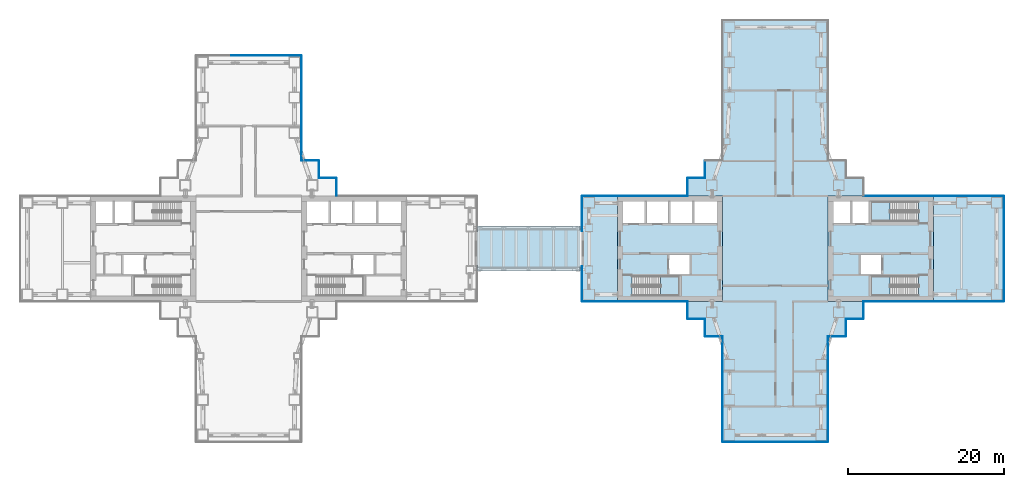
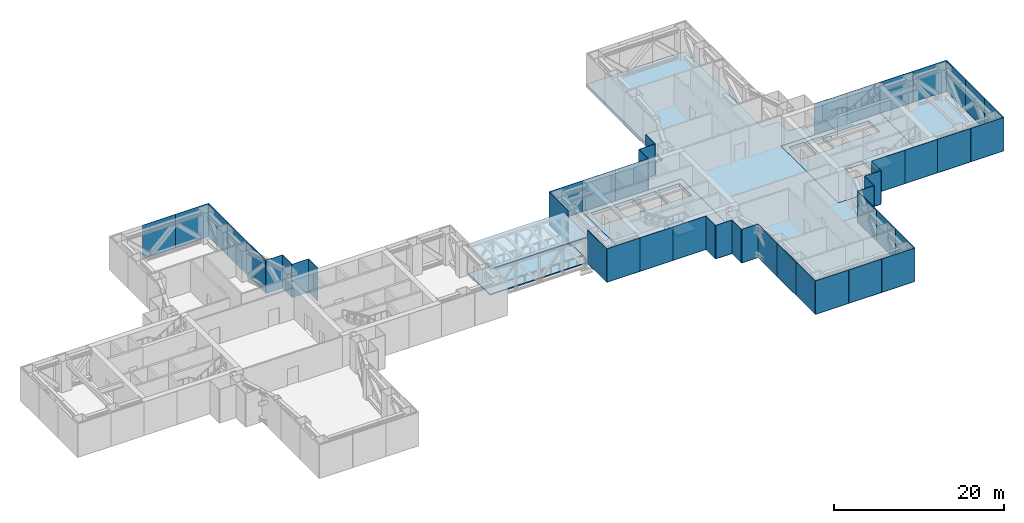
# One storey, part 9 of 23: 48 plates, 10 slabs, 22 elements without a shape of their own.
"""IFC4 building model written with IfcOpenShell, lengths in metres."""

import ifcopenshell
import ifcopenshell.guid

model = None  # the IFC model being written
_history = None  # IfcOwnerHistory: only IFC2X3 demands one
_inside = {}  # id of a spatial element -> (the spatial element, [elements in it])
_under = {}  # id of a project, library or spatial element -> (it, [spatial elements below it])
_declared = {}  # id of a project -> (the project, [libraries it declares])
_typed = {}  # id of a type object -> (the type object, [elements of that type])
_made_of = {}  # id of a material, layer set ... -> (it, [elements and type objects made of it])


def new_model(schema):
    """Start an empty IFC model of exactly this schema.

    Asked for "IFC4X3", IfcOpenShell would pick the latest addendum, in which some entities
    have other attributes; the version numbers below select the first issue.
    IFC2X3 requires an IfcOwnerHistory on every rooted entity: one is made here for all.
    """
    global model, _history
    if schema == "IFC4X3":
        model = ifcopenshell.file(schema_version=(4, 3, 0, 0))
    else:
        model = ifcopenshell.file(schema=schema)
    _inside.clear()
    _under.clear()
    _declared.clear()
    _typed.clear()
    _made_of.clear()
    _history = None
    if model.schema == "IFC2X3":
        org = make("IfcOrganization", Name="unknown")
        user = make(
            "IfcPersonAndOrganization",
            ThePerson=make("IfcPerson", FamilyName="unknown"),
            TheOrganization=org,
        )
        app = make(
            "IfcApplication",
            ApplicationDeveloper=org,
            Version="unknown",
            ApplicationFullName="unknown",
            ApplicationIdentifier="unknown",
        )
        _history = make(
            "IfcOwnerHistory",
            OwningUser=user,
            OwningApplication=app,
            ChangeAction="ADDED",
            CreationDate=0,
        )
    return model


def make(cls, **values):
    """One entity of the class cls with the attributes given. An attribute that is None is left unset."""
    return model.create_entity(
        cls, **{name: value for name, value in values.items() if value is not None}
    )


def rooted(cls, **values):
    """An entity with a GlobalId (a new one), such as an element, a storey or a relation."""
    return make(cls, GlobalId=ifcopenshell.guid.new(), OwnerHistory=_history, **values)


def si_unit(unit_type, name, prefix=None):
    """IfcSIUnit, for example si_unit("LENGTHUNIT", "METRE", prefix="MILLI")."""
    return make("IfcSIUnit", UnitType=unit_type, Prefix=prefix, Name=name)


def assignment(units):
    """IfcUnitAssignment: the units of a project."""
    return None if units is None else make("IfcUnitAssignment", Units=units)


def point(xyz):
    """IfcCartesianPoint."""
    return None if xyz is None else make("IfcCartesianPoint", Coordinates=xyz)


def direction(xyz):
    """IfcDirection."""
    return None if xyz is None else make("IfcDirection", DirectionRatios=xyz)


def frame(location, z_axis=None, x_axis=None):
    """IfcAxis2Placement3D, a coordinate frame: its origin and axes. An axis left out is left unset."""
    return make(
        "IfcAxis2Placement3D",
        Location=point(location),
        Axis=direction(z_axis),
        RefDirection=direction(x_axis),
    )


def frame_2d(location, x_axis=None):
    """IfcAxis2Placement2D, a coordinate frame in the plane: its origin and x axis."""
    return make(
        "IfcAxis2Placement2D", Location=point(location), RefDirection=direction(x_axis)
    )


def origin():
    """The frame at (0, 0, 0) with its axes left unset."""
    return frame((0.0, 0.0, 0.0))


def origin_2d():
    """The frame at (0, 0) in the plane with its x axis left unset."""
    return frame_2d((0.0, 0.0))


def place(relative_to, where):
    """IfcLocalPlacement: puts the frame where relative to a parent placement (None: the world)."""
    return make(
        "IfcLocalPlacement", PlacementRelTo=relative_to, RelativePlacement=where
    )


def context(
    kind, dimensions, precision=None, world=None, true_north=None, identifier=None
):
    """IfcGeometricRepresentationContext, for example the 3D "Model" context."""
    return make(
        "IfcGeometricRepresentationContext",
        ContextIdentifier=identifier,
        ContextType=kind,
        CoordinateSpaceDimension=dimensions,
        Precision=precision,
        WorldCoordinateSystem=world,
        TrueNorth=true_north,
    )


def subcontext(parent, identifier, kind, view, scale=None):
    """IfcGeometricRepresentationSubContext, for example "Body" below "Model"."""
    return make(
        "IfcGeometricRepresentationSubContext",
        ContextIdentifier=identifier,
        ContextType=kind,
        ParentContext=parent,
        TargetScale=scale,
        TargetView=view,
    )


def project(units=None, contexts=None):
    """IfcProject with its units and contexts."""
    return rooted(
        "IfcProject",
        Name="project",
        RepresentationContexts=contexts,
        UnitsInContext=assignment(units),
    )


def spatial(cls, under=None, at=None, **own):
    """A site, building, storey or space (cls), placed at a placement, below another one or the project."""
    s = rooted(cls, ObjectPlacement=at, **own)
    if under is not None:
        _under.setdefault(under.id(), (under, []))[1].append(s)
    return s


def polyline(points):
    """IfcPolyline through the points."""
    return make("IfcPolyline", Points=[point(p) for p in points])


def profile(cls, at=None, kind="AREA", **sizes):
    """A parametric profile (cls). Its sizes go by their IFC names, for example OverallWidth=200.0."""
    return make(cls, ProfileType=kind, Position=at, **sizes)


def rectangle(**sizes):
    """IfcRectangleProfileDef."""
    return profile("IfcRectangleProfileDef", **sizes)


def outline(outer, holes=None, kind="AREA"):
    """IfcArbitraryClosedProfileDef: a profile drawn as a closed curve; with holes, ...WithVoids."""
    if holes is None:
        return make("IfcArbitraryClosedProfileDef", ProfileType=kind, OuterCurve=outer)
    return make(
        "IfcArbitraryProfileDefWithVoids",
        ProfileType=kind,
        OuterCurve=outer,
        InnerCurves=holes,
    )


def extrude(swept, where, along, depth):
    """IfcExtrudedAreaSolid: the profile swept, set in the frame where, extruded along a direction by depth."""
    return make(
        "IfcExtrudedAreaSolid",
        SweptArea=swept,
        Position=where,
        ExtrudedDirection=direction(along),
        Depth=depth,
    )


def shape(context_of_items, identifier, shape_type, items):
    """IfcShapeRepresentation: the items that make up one representation, for example the "Body"."""
    return make(
        "IfcShapeRepresentation",
        ContextOfItems=context_of_items,
        RepresentationIdentifier=identifier,
        RepresentationType=shape_type,
        Items=items,
    )


def material(Name=None, Category=None):
    """IfcMaterial."""
    return make("IfcMaterial", Name=Name, Category=Category)


def layer(
    of_material, thickness, ventilated=None, Name=None, Category=None, Priority=None
):
    """IfcMaterialLayer: one layer of a wall or slab, of a material (None: an air gap)."""
    return make(
        "IfcMaterialLayer",
        Material=of_material,
        LayerThickness=thickness,
        IsVentilated=ventilated,
        Name=Name,
        Category=Category,
        Priority=Priority,
    )


def layer_set(layers, Name=None):
    """IfcMaterialLayerSet."""
    return make("IfcMaterialLayerSet", MaterialLayers=layers, LayerSetName=Name)


def made_of(thing, what):
    """Note that an element or type object is made of a material, layer set ...; save() writes the relation."""
    if what is not None:
        _made_of.setdefault(what.id(), (what, []))[1].append(thing)
    return thing


def type_object(cls, material=None, **own):
    """A type object (cls), such as IfcWallType, which elements share."""
    return made_of(rooted(cls, **own), material)


def element(
    cls,
    number,
    at=None,
    inside=None,
    cuts=None,
    type_object=None,
    material=None,
    context=None,
    identifier="Body",
    shape_type=None,
    held_by="IfcProductDefinitionShape",
    body=None,
    shapes=None,
    **own,
):
    """One element of the class cls, such as IfcWall. Its Tag is "e" and its number.

    at: its placement. inside: the storey or other place that contains it. cuts: it is an
    opening in that element (IfcRelVoidsElement). A single representation is given by context,
    identifier, shape_type and body (its items); several are given by shapes. held_by: the class
    of the entity that holds the representations. save() writes the other relations.
    """
    e = rooted(cls, Tag="e%d" % number, ObjectPlacement=at, **own)
    if body is not None:
        shapes = [shape(context, identifier, shape_type, body)]
    if shapes is not None:
        e.Representation = make(held_by, Representations=shapes)
    if inside is not None:
        _inside.setdefault(inside.id(), (inside, []))[1].append(e)
    if cuts is not None:
        rooted(
            "IfcRelVoidsElement", RelatingBuildingElement=cuts, RelatedOpeningElement=e
        )
    if type_object is not None:
        _typed.setdefault(type_object.id(), (type_object, []))[1].append(e)
    return made_of(e, material)


def aggregate(whole, parts):
    """IfcRelAggregates: a whole, such as a stair, and the parts it consists of."""
    return rooted("IfcRelAggregates", RelatingObject=whole, RelatedObjects=parts)


def save(model, path):
    """Write the relations noted so far, then the file.

    IfcRelAggregates (storeys below a building ...), IfcRelContainedInSpatialStructure (elements
    in a storey), IfcRelDefinesByType, IfcRelAssociatesMaterial and IfcRelDeclares: one each for
    every whole, place, type object, material and project.
    """
    for whole, parts in _under.values():
        aggregate(whole, parts)
    for where, things in _inside.values():
        rooted(
            "IfcRelContainedInSpatialStructure",
            RelatedElements=things,
            RelatingStructure=where,
        )
    for kind, things in _typed.values():
        rooted("IfcRelDefinesByType", RelatedObjects=things, RelatingType=kind)
    for what, things in _made_of.values():
        rooted("IfcRelAssociatesMaterial", RelatedObjects=things, RelatingMaterial=what)
    for by, libraries in _declared.values():
        rooted("IfcRelDeclares", RelatingContext=by, RelatedDefinitions=libraries)
    model.write(path)


model = new_model("IFC4")

# Units and contexts
model_context = context("Model", 3, precision=1e-05, world=origin(), true_north=direction((0.0, 1.0)))
body_context = subcontext(model_context, "Body", "Model", "MODEL_VIEW")
ifc_project = project(units=[si_unit("LENGTHUNIT", "METRE"), si_unit("AREAUNIT", "SQUARE_METRE"), si_unit("VOLUMEUNIT", "CUBIC_METRE"), si_unit("PLANEANGLEUNIT", "RADIAN"), si_unit("MASSUNIT", "GRAM", prefix="KILO")], contexts=[model_context])

# Site, building, storey
site_placement = place(None, origin())
site = spatial("IfcSite", under=ifc_project, at=site_placement, CompositionType="ELEMENT")
building_placement = place(site_placement, origin())
building = spatial("IfcBuilding", under=site, at=building_placement, Name="Shamsa Quay Exchange Towers", CompositionType="ELEMENT")
storey_placement = place(building_placement, frame((0.0, 0.0, 77.10009765625)))
storey = spatial("IfcBuildingStorey", under=building, at=storey_placement, Name="L17", CompositionType="ELEMENT", Elevation=77.10009765625)

# Slabs
ifc_material_1 = material(Name="Concrete C50/60", Category="concrete")
ifc_layer_1 = layer(ifc_material_1, 0.449951171875)
ifc_layer_set_1 = layer_set([ifc_layer_1], Name="CORE FLOOR 450 C50/60")
slab_type_1 = type_object("IfcSlabType", Name="CORE FLOOR 450 C50/60", PredefinedType="FLOOR", material=ifc_layer_set_1)
slab_1_placement = place(storey_placement, frame((0.0, 0.0, -0.4501953125)))
element("IfcSlab", 1, at=slab_1_placement, inside=storey, type_object=slab_type_1, Name="Core floor T2A", PredefinedType="FLOOR", context=body_context, shape_type="SweptSolid", body=[
    extrude(outline(polyline([(13.5, -6.75), (27.0, -6.75), (27.0, 6.75), (13.5, 6.75), (13.5, -6.75)]), holes=[polyline([(15.400634765625, -6.050048828125), (15.400634765625, -3.5), (21.5, -3.5), (21.5, -6.050048828125), (15.400634765625, -6.050048828125)]), polyline([(14.199951171875, 3.25), (14.199951171875, 6.050048828125), (17.0, 6.050048828125), (17.0, 3.25), (14.199951171875, 3.25)]), polyline([(17.25, 3.25), (17.25, 6.050048828125), (20.050048828125, 6.050048828125), (20.050048828125, 3.25), (17.25, 3.25)]), polyline([(20.300048828125, 3.25), (20.300048828125, 6.050048828125), (23.10009765625, 6.050048828125), (23.10009765625, 3.25), (20.300048828125, 3.25)]), polyline([(23.35009765625, 3.25), (23.35009765625, 6.050048828125), (26.300048828125, 6.050048828125), (26.300048828125, 3.25), (23.35009765625, 3.25)]), polyline([(20.14990234375, -3.25), (20.14990234375, -0.75), (22.800048828125, -0.75), (22.800048828125, -3.25), (20.14990234375, -3.25)])]), origin(), (0.0, 0.0, 1.0), 0.4501953125),
])
slab_2_placement = place(storey_placement, frame((0.0, 0.0, -0.4501953125)))
element("IfcSlab", 2, at=slab_2_placement, inside=storey, type_object=slab_type_1, Name="Core floor T2B", PredefinedType="FLOOR", context=body_context, shape_type="SweptSolid", body=[
    extrude(outline(polyline([(54.0, -6.75), (54.0, 6.75), (40.5, 6.75), (40.5, -6.75), (54.0, -6.75)]), holes=[polyline([(52.099365234375, -3.5), (52.099365234375, -6.050048828125), (46.0, -6.050048828125), (46.0, -3.5), (52.099365234375, -3.5)]), polyline([(52.099365234375, 6.050048828125), (52.099365234375, 3.5), (46.0, 3.5), (46.0, 6.050048828125), (52.099365234375, 6.050048828125)]), polyline([(45.75, 3.25), (43.60009765625, 3.25), (43.60009765625, 6.050048828125), (45.75, 6.050048828125), (45.75, 3.25)]), polyline([(43.35009765625, 3.25), (41.199951171875, 3.25), (41.199951171875, 6.050048828125), (43.35009765625, 6.050048828125), (43.35009765625, 3.25)]), polyline([(47.35009765625, -3.25), (44.699951171875, -3.25), (44.699951171875, -0.75), (47.35009765625, -0.75), (47.35009765625, -3.25)])]), origin(), (0.0, 0.0, 1.0), 0.4501953125),
])

# Stair, slab
ifc_material_2 = material(Name="Concrete C40/50", Category="concrete")
stair_type = type_object("IfcStairType", Name="EXIT STAIR 28 RISERS 171 MM", PredefinedType="HALF_TURN_STAIR", material=ifc_material_2)
stair_1_placement = place(storey_placement, origin())
stair_1 = element("IfcStair", 3, at=stair_1_placement, inside=storey, type_object=stair_type, Name="L17 Exit stair ST4", PredefinedType="HALF_TURN_STAIR")
ifc_layer_2 = layer(ifc_material_2, 0.199951171875)
ifc_layer_set_2 = layer_set([ifc_layer_2], Name="CORE STAIR LANDING")
slab_type_2 = type_object("IfcSlabType", Name="CORE STAIR LANDING", PredefinedType="LANDING", material=ifc_layer_set_2)
slab_3_placement = place(storey_placement, frame((0.0, 0.0, 2.199951171875)))
slab_3 = element("IfcSlab", 4, at=slab_3_placement, type_object=slab_type_2, Name="ST4 landing 1", PredefinedType="LANDING", context=body_context, shape_type="SweptSolid", body=[
    extrude(outline(polyline([(19.0400390625, -6.050048828125), (21.5, -6.050048828125), (21.5, -3.5), (19.0400390625, -3.5), (19.0400390625, -6.050048828125)])), origin(), (0.0, 0.0, 1.0), 0.199951171875),
])
aggregate(stair_1, [slab_3])

stair_2_placement = place(storey_placement, origin())
stair_2 = element("IfcStair", 5, at=stair_2_placement, inside=storey, type_object=stair_type, Name="L17 Exit stair ST5", PredefinedType="HALF_TURN_STAIR")
slab_4_placement = place(storey_placement, frame((0.0, 0.0, 2.199951171875)))
slab_4 = element("IfcSlab", 6, at=slab_4_placement, type_object=slab_type_2, Name="ST5 landing 1", PredefinedType="LANDING", context=body_context, shape_type="SweptSolid", body=[
    extrude(outline(polyline([(48.4599609375, -3.5), (46.0, -3.5), (46.0, -6.050048828125), (48.4599609375, -6.050048828125), (48.4599609375, -3.5)])), origin(), (0.0, 0.0, 1.0), 0.199951171875),
])
aggregate(stair_2, [slab_4])

stair_3_placement = place(storey_placement, origin())
stair_3 = element("IfcStair", 7, at=stair_3_placement, inside=storey, type_object=stair_type, Name="L17 Exit stair ST6", PredefinedType="HALF_TURN_STAIR")
slab_5_placement = place(storey_placement, frame((0.0, 0.0, 2.199951171875)))
slab_5 = element("IfcSlab", 8, at=slab_5_placement, type_object=slab_type_2, Name="ST6 landing 1", PredefinedType="LANDING", context=body_context, shape_type="SweptSolid", body=[
    extrude(outline(polyline([(48.4599609375, 6.050048828125), (46.0, 6.050048828125), (46.0, 3.5), (48.4599609375, 3.5), (48.4599609375, 6.050048828125)])), origin(), (0.0, 0.0, 1.0), 0.199951171875),
])
aggregate(stair_3, [slab_5])

# Curtain wall, plates
ifc_material_3 = material(Name="Aluminium EN AW-6063 T6, black anodised", Category="aluminium")
ifc_layer_3 = layer(ifc_material_3, 0.320068359375)
ifc_layer_set_3 = layer_set([ifc_layer_3], Name="CW-7 BELT-LEVEL LOUVRE PANEL WALL")
curtain_wall_type = type_object("IfcCurtainWallType", Name="CW-7 BELT-LEVEL LOUVRE PANEL WALL", PredefinedType="NOTDEFINED", material=ifc_layer_set_3)
curtain_wall_1_placement = place(storey_placement, origin())
curtain_wall_1 = element("IfcCurtainWall", 9, at=curtain_wall_1_placement, inside=storey, type_object=curtain_wall_type, Name="CW7 T1-FLK-V+E L17", PredefinedType="NOTDEFINED")
ifc_material_4 = material(Name="Aluminium louvre panel, black anodised, with insulated fire-rated backing", Category="aluminium")
ifc_layer_4 = layer(ifc_material_4, 0.06005859375)
ifc_layer_set_4 = layer_set([ifc_layer_4], Name="CW-7 LOUVRE PANEL 60")
plate_type = type_object("IfcPlateType", Name="CW-7 LOUVRE PANEL 60", PredefinedType="CURTAIN_PANEL", material=ifc_layer_set_4)
plate_1_placement = place(storey_placement, frame((-26.969970703125, 13.549072265625, -0.35009765625), z_axis=(0.0, 0.0, 1.0), x_axis=(0.0, 1.0, 0.0)))
plate_1 = element("IfcPlate", 10, at=plate_1_placement, type_object=plate_type, Name="CW7 glass panel", PredefinedType="CURTAIN_PANEL", context=body_context, shape_type="SweptSolid", body=[
    extrude(rectangle(XDim=4.474365234375, YDim=0.06005859375, at=origin_2d()), origin(), (0.0, 0.0, 1.0), 4.800048828125),
])
plate_2_placement = place(storey_placement, frame((-26.969970703125, 18.031005859375, -0.35009765625), z_axis=(0.0, 0.0, 1.0), x_axis=(0.0, 1.0, 0.0)))
plate_2 = element("IfcPlate", 11, at=plate_2_placement, type_object=plate_type, Name="CW7 glass panel", PredefinedType="CURTAIN_PANEL", context=body_context, shape_type="SweptSolid", body=[
    extrude(rectangle(XDim=4.46923828125, YDim=0.06005859375, at=origin_2d()), origin(), (0.0, 0.0, 1.0), 4.800048828125),
])
plate_3_placement = place(storey_placement, frame((-26.969970703125, 22.512939453125, -0.35009765625), z_axis=(0.0, 0.0, 1.0), x_axis=(0.0, 1.0, 0.0)))
plate_3 = element("IfcPlate", 12, at=plate_3_placement, type_object=plate_type, Name="CW7 glass panel", PredefinedType="CURTAIN_PANEL", context=body_context, shape_type="SweptSolid", body=[
    extrude(rectangle(XDim=4.474365234375, YDim=0.06005859375, at=origin_2d()), origin(), (0.0, 0.0, 1.0), 4.800048828125),
])
aggregate(curtain_wall_1, [plate_1, plate_2, plate_3])

curtain_wall_2_placement = place(storey_placement, origin())
curtain_wall_2 = element("IfcCurtainWall", 13, at=curtain_wall_2_placement, inside=storey, type_object=curtain_wall_type, Name="CW7 T1-END-V+ L17", PredefinedType="NOTDEFINED")
plate_4_placement = place(storey_placement, frame((-29.24755859375, 24.780029296875, -0.35009765625), z_axis=(0.0, 0.0, 1.0), x_axis=(-1.0, 0.0, 0.0)))
plate_4 = element("IfcPlate", 14, at=plate_4_placement, type_object=plate_type, Name="CW7 glass panel", PredefinedType="CURTAIN_PANEL", context=body_context, shape_type="SweptSolid", body=[
    extrude(rectangle(XDim=4.4951171875, YDim=0.06005859375, at=origin_2d()), origin(), (0.0, 0.0, 1.0), 4.800048828125),
])
plate_5_placement = place(storey_placement, frame((-33.75, 24.780029296875, -0.35009765625), z_axis=(0.0, 0.0, 1.0), x_axis=(-1.0, 0.0, 0.0)))
plate_5 = element("IfcPlate", 15, at=plate_5_placement, type_object=plate_type, Name="CW7 glass panel", PredefinedType="CURTAIN_PANEL", context=body_context, shape_type="SweptSolid", body=[
    extrude(rectangle(XDim=4.489990234375, YDim=0.06005859375, at=origin_2d()), origin(), (0.0, 0.0, 1.0), 4.800048828125),
])
aggregate(curtain_wall_2, [plate_4, plate_5])

curtain_wall_3_placement = place(storey_placement, origin())
curtain_wall_3 = element("IfcCurtainWall", 16, at=curtain_wall_3_placement, inside=storey, type_object=curtain_wall_type, Name="CW7 PKEN L17", PredefinedType="NOTDEFINED")
plate_6_placement = place(storey_placement, frame((-22.469970703125, 7.906005859375, -0.35009765625), z_axis=(0.0, 0.0, 1.0), x_axis=(0.0, 1.0, 0.0)))
plate_6 = element("IfcPlate", 17, at=plate_6_placement, type_object=plate_type, Name="CW7 glass panel", PredefinedType="CURTAIN_PANEL", context=body_context, shape_type="SweptSolid", body=[
    extrude(rectangle(XDim=2.18798828125, YDim=0.06005859375, at=origin_2d()), origin(), (0.0, 0.0, 1.0), 4.800048828125),
])
plate_7_placement = place(storey_placement, frame((-23.625, 9.030029296875, -0.35009765625), z_axis=(0.0, 0.0, 1.0), x_axis=(-1.0, 0.0, 0.0)))
plate_7 = element("IfcPlate", 18, at=plate_7_placement, type_object=plate_type, Name="CW7 glass panel", PredefinedType="CURTAIN_PANEL", context=body_context, shape_type="SweptSolid", body=[
    extrude(rectangle(XDim=2.25, YDim=0.06005859375, at=origin_2d()), origin(), (0.0, 0.0, 1.0), 4.800048828125),
])
plate_8_placement = place(storey_placement, frame((-24.719970703125, 10.156005859375, -0.35009765625), z_axis=(0.0, 0.0, 1.0), x_axis=(0.0, 1.0, 0.0)))
plate_8 = element("IfcPlate", 19, at=plate_8_placement, type_object=plate_type, Name="CW7 glass panel", PredefinedType="CURTAIN_PANEL", context=body_context, shape_type="SweptSolid", body=[
    extrude(rectangle(XDim=2.18798828125, YDim=0.06005859375, at=origin_2d()), origin(), (0.0, 0.0, 1.0), 4.800048828125),
])
plate_9_placement = place(storey_placement, frame((-25.875, 11.280029296875, -0.35009765625), z_axis=(0.0, 0.0, 1.0), x_axis=(-1.0, 0.0, 0.0)))
plate_9 = element("IfcPlate", 20, at=plate_9_placement, type_object=plate_type, Name="CW7 glass panel", PredefinedType="CURTAIN_PANEL", context=body_context, shape_type="SweptSolid", body=[
    extrude(rectangle(XDim=2.25, YDim=0.06005859375, at=origin_2d()), origin(), (0.0, 0.0, 1.0), 4.800048828125),
])
aggregate(curtain_wall_3, [plate_6, plate_7, plate_8, plate_9])

curtain_wall_4_placement = place(storey_placement, origin())
curtain_wall_4 = element("IfcCurtainWall", 21, at=curtain_wall_4_placement, inside=storey, type_object=curtain_wall_type, Name="CW7 T2-FLK-V-W L17", PredefinedType="NOTDEFINED")
plate_10_placement = place(storey_placement, frame((47.2939453125, -6.780029296875, -0.35009765625)))
plate_10 = element("IfcPlate", 22, at=plate_10_placement, type_object=plate_type, Name="CW7 glass panel", PredefinedType="CURTAIN_PANEL", context=body_context, shape_type="SweptSolid", body=[
    extrude(rectangle(XDim=4.464111328125, YDim=0.06005859375, at=origin_2d()), origin(), (0.0, 0.0, 1.0), 4.800048828125),
])
plate_11_placement = place(storey_placement, frame((51.76806640625, -6.780029296875, -0.35009765625)))
plate_11 = element("IfcPlate", 23, at=plate_11_placement, type_object=plate_type, Name="CW7 glass panel", PredefinedType="CURTAIN_PANEL", context=body_context, shape_type="SweptSolid", body=[
    extrude(rectangle(XDim=4.464111328125, YDim=0.06005859375, at=origin_2d()), origin(), (0.0, 0.0, 1.0), 4.800048828125),
])
aggregate(curtain_wall_4, [plate_10, plate_11])

curtain_wall_5_placement = place(storey_placement, origin())
curtain_wall_5 = element("IfcCurtainWall", 24, at=curtain_wall_5_placement, inside=storey, type_object=curtain_wall_type, Name="CW7 T2-FLK-V-W L17", PredefinedType="NOTDEFINED")
plate_12_placement = place(storey_placement, frame((56.24755859375, -6.780029296875, -0.35009765625)))
plate_12 = element("IfcPlate", 25, at=plate_12_placement, type_object=plate_type, Name="CW7 glass panel", PredefinedType="CURTAIN_PANEL", context=body_context, shape_type="SweptSolid", body=[
    extrude(rectangle(XDim=4.4951171875, YDim=0.06005859375, at=origin_2d()), origin(), (0.0, 0.0, 1.0), 4.800048828125),
])
plate_13_placement = place(storey_placement, frame((60.75244140625, -6.780029296875, -0.35009765625)))
plate_13 = element("IfcPlate", 26, at=plate_13_placement, type_object=plate_type, Name="CW7 glass panel", PredefinedType="CURTAIN_PANEL", context=body_context, shape_type="SweptSolid", body=[
    extrude(rectangle(XDim=4.4951171875, YDim=0.06005859375, at=origin_2d()), origin(), (0.0, 0.0, 1.0), 4.800048828125),
])
aggregate(curtain_wall_5, [plate_12, plate_13])

curtain_wall_6_placement = place(storey_placement, origin())
curtain_wall_6 = element("IfcCurtainWall", 27, at=curtain_wall_6_placement, inside=storey, type_object=curtain_wall_type, Name="CW7 T2-END-V- L17", PredefinedType="NOTDEFINED")
plate_14_placement = place(storey_placement, frame((63.030029296875, -4.50244140625, -0.35009765625), z_axis=(0.0, 0.0, 1.0), x_axis=(0.0, 1.0, 0.0)))
plate_14 = element("IfcPlate", 28, at=plate_14_placement, type_object=plate_type, Name="CW7 glass panel", PredefinedType="CURTAIN_PANEL", context=body_context, shape_type="SweptSolid", body=[
    extrude(rectangle(XDim=4.4951171875, YDim=0.06005859375, at=origin_2d()), origin(), (0.0, 0.0, 1.0), 4.800048828125),
])
plate_15_placement = place(storey_placement, frame((63.030029296875, 0.0, -0.35009765625), z_axis=(0.0, 0.0, 1.0), x_axis=(0.0, 1.0, 0.0)))
plate_15 = element("IfcPlate", 29, at=plate_15_placement, type_object=plate_type, Name="CW7 glass panel", PredefinedType="CURTAIN_PANEL", context=body_context, shape_type="SweptSolid", body=[
    extrude(rectangle(XDim=4.489990234375, YDim=0.06005859375, at=origin_2d()), origin(), (0.0, 0.0, 1.0), 4.800048828125),
])
plate_16_placement = place(storey_placement, frame((63.030029296875, 4.50244140625, -0.35009765625), z_axis=(0.0, 0.0, 1.0), x_axis=(0.0, 1.0, 0.0)))
plate_16 = element("IfcPlate", 30, at=plate_16_placement, type_object=plate_type, Name="CW7 glass panel", PredefinedType="CURTAIN_PANEL", context=body_context, shape_type="SweptSolid", body=[
    extrude(rectangle(XDim=4.4951171875, YDim=0.06005859375, at=origin_2d()), origin(), (0.0, 0.0, 1.0), 4.800048828125),
])
aggregate(curtain_wall_6, [plate_14, plate_15, plate_16])

curtain_wall_7_placement = place(storey_placement, origin())
curtain_wall_7 = element("IfcCurtainWall", 31, at=curtain_wall_7_placement, inside=storey, type_object=curtain_wall_type, Name="CW7 T2-FLK-V-E L17", PredefinedType="NOTDEFINED")
plate_17_placement = place(storey_placement, frame((60.75244140625, 6.780029296875, -0.35009765625), z_axis=(0.0, 0.0, 1.0), x_axis=(-1.0, 0.0, 0.0)))
plate_17 = element("IfcPlate", 32, at=plate_17_placement, type_object=plate_type, Name="CW7 glass panel", PredefinedType="CURTAIN_PANEL", context=body_context, shape_type="SweptSolid", body=[
    extrude(rectangle(XDim=4.4951171875, YDim=0.06005859375, at=origin_2d()), origin(), (0.0, 0.0, 1.0), 4.800048828125),
])
plate_18_placement = place(storey_placement, frame((56.24755859375, 6.780029296875, -0.35009765625), z_axis=(0.0, 0.0, 1.0), x_axis=(-1.0, 0.0, 0.0)))
plate_18 = element("IfcPlate", 33, at=plate_18_placement, type_object=plate_type, Name="CW7 glass panel", PredefinedType="CURTAIN_PANEL", context=body_context, shape_type="SweptSolid", body=[
    extrude(rectangle(XDim=4.4951171875, YDim=0.06005859375, at=origin_2d()), origin(), (0.0, 0.0, 1.0), 4.800048828125),
])
aggregate(curtain_wall_7, [plate_17, plate_18])

curtain_wall_8_placement = place(storey_placement, origin())
curtain_wall_8 = element("IfcCurtainWall", 34, at=curtain_wall_8_placement, inside=storey, type_object=curtain_wall_type, Name="CW7 T2-FLK-V-E L17", PredefinedType="NOTDEFINED")
plate_19_placement = place(storey_placement, frame((51.75244140625, 6.780029296875, -0.35009765625), z_axis=(0.0, 0.0, 1.0), x_axis=(-1.0, 0.0, 0.0)))
plate_19 = element("IfcPlate", 35, at=plate_19_placement, type_object=plate_type, Name="CW7 glass panel", PredefinedType="CURTAIN_PANEL", context=body_context, shape_type="SweptSolid", body=[
    extrude(rectangle(XDim=4.4951171875, YDim=0.06005859375, at=origin_2d()), origin(), (0.0, 0.0, 1.0), 4.800048828125),
])
plate_20_placement = place(storey_placement, frame((47.24755859375, 6.780029296875, -0.35009765625), z_axis=(0.0, 0.0, 1.0), x_axis=(-1.0, 0.0, 0.0)))
plate_20 = element("IfcPlate", 36, at=plate_20_placement, type_object=plate_type, Name="CW7 glass panel", PredefinedType="CURTAIN_PANEL", context=body_context, shape_type="SweptSolid", body=[
    extrude(rectangle(XDim=4.4951171875, YDim=0.06005859375, at=origin_2d()), origin(), (0.0, 0.0, 1.0), 4.800048828125),
])
aggregate(curtain_wall_8, [plate_19, plate_20])

curtain_wall_9_placement = place(storey_placement, origin())
curtain_wall_9 = element("IfcCurtainWall", 37, at=curtain_wall_9_placement, inside=storey, type_object=curtain_wall_type, Name="CW7 T2-FLK-V+E L17", PredefinedType="NOTDEFINED")
plate_21_placement = place(storey_placement, frame((20.2060546875, 6.780029296875, -0.35009765625), z_axis=(0.0, 0.0, 1.0), x_axis=(-1.0, 0.0, 0.0)))
plate_21 = element("IfcPlate", 38, at=plate_21_placement, type_object=plate_type, Name="CW7 glass panel", PredefinedType="CURTAIN_PANEL", context=body_context, shape_type="SweptSolid", body=[
    extrude(rectangle(XDim=4.464111328125, YDim=0.06005859375, at=origin_2d()), origin(), (0.0, 0.0, 1.0), 4.800048828125),
])
plate_22_placement = place(storey_placement, frame((15.73193359375, 6.780029296875, -0.35009765625), z_axis=(0.0, 0.0, 1.0), x_axis=(-1.0, 0.0, 0.0)))
plate_22 = element("IfcPlate", 39, at=plate_22_placement, type_object=plate_type, Name="CW7 glass panel", PredefinedType="CURTAIN_PANEL", context=body_context, shape_type="SweptSolid", body=[
    extrude(rectangle(XDim=4.464111328125, YDim=0.06005859375, at=origin_2d()), origin(), (0.0, 0.0, 1.0), 4.800048828125),
])
aggregate(curtain_wall_9, [plate_21, plate_22])

# Curtain wall, plate
curtain_wall_10_placement = place(storey_placement, origin())
curtain_wall_10 = element("IfcCurtainWall", 40, at=curtain_wall_10_placement, inside=storey, type_object=curtain_wall_type, Name="CW7 T2-FLK-V+E L17", PredefinedType="NOTDEFINED")
plate_23_placement = place(storey_placement, frame((11.25, 6.780029296875, -0.35009765625), z_axis=(0.0, 0.0, 1.0), x_axis=(-1.0, 0.0, 0.0)))
plate_23 = element("IfcPlate", 41, at=plate_23_placement, type_object=plate_type, Name="CW7 glass panel", PredefinedType="CURTAIN_PANEL", context=body_context, shape_type="SweptSolid", body=[
    extrude(rectangle(XDim=4.5, YDim=0.06005859375, at=origin_2d()), origin(), (0.0, 0.0, 1.0), 4.800048828125),
])
aggregate(curtain_wall_10, [plate_23])

# Curtain wall, plates
curtain_wall_11_placement = place(storey_placement, origin())
curtain_wall_11 = element("IfcCurtainWall", 42, at=curtain_wall_11_placement, inside=storey, type_object=curtain_wall_type, Name="CW7 T2-END-V+ L17", PredefinedType="NOTDEFINED")
plate_24_placement = place(storey_placement, frame((8.969970703125, 4.50244140625, -0.35009765625), z_axis=(0.0, 0.0, 1.0), x_axis=(0.0, -1.0, 0.0)))
plate_24 = element("IfcPlate", 43, at=plate_24_placement, type_object=plate_type, Name="CW7 glass panel", PredefinedType="CURTAIN_PANEL", context=body_context, shape_type="SweptSolid", body=[
    extrude(rectangle(XDim=4.4951171875, YDim=0.06005859375, at=origin_2d()), origin(), (0.0, 0.0, 1.0), 4.800048828125),
])
plate_25_placement = place(storey_placement, frame((8.969970703125, -4.50244140625, -0.35009765625), z_axis=(0.0, 0.0, 1.0), x_axis=(0.0, -1.0, 0.0)))
plate_25 = element("IfcPlate", 44, at=plate_25_placement, type_object=plate_type, Name="CW7 glass panel", PredefinedType="CURTAIN_PANEL", context=body_context, shape_type="SweptSolid", body=[
    extrude(rectangle(XDim=4.4951171875, YDim=0.06005859375, at=origin_2d()), origin(), (0.0, 0.0, 1.0), 4.800048828125),
])
aggregate(curtain_wall_11, [plate_24, plate_25])

# Curtain wall, plate
curtain_wall_12_placement = place(storey_placement, origin())
curtain_wall_12 = element("IfcCurtainWall", 45, at=curtain_wall_12_placement, inside=storey, type_object=curtain_wall_type, Name="CW7 T2-FLK-V+W L17", PredefinedType="NOTDEFINED")
plate_26_placement = place(storey_placement, frame((11.25, -6.780029296875, -0.35009765625)))
plate_26 = element("IfcPlate", 46, at=plate_26_placement, type_object=plate_type, Name="CW7 glass panel", PredefinedType="CURTAIN_PANEL", context=body_context, shape_type="SweptSolid", body=[
    extrude(rectangle(XDim=4.5, YDim=0.06005859375, at=origin_2d()), origin(), (0.0, 0.0, 1.0), 4.800048828125),
])
aggregate(curtain_wall_12, [plate_26])

# Curtain wall, plates
curtain_wall_13_placement = place(storey_placement, origin())
curtain_wall_13 = element("IfcCurtainWall", 47, at=curtain_wall_13_placement, inside=storey, type_object=curtain_wall_type, Name="CW7 T2-FLK-V+W L17", PredefinedType="NOTDEFINED")
plate_27_placement = place(storey_placement, frame((15.74755859375, -6.780029296875, -0.35009765625)))
plate_27 = element("IfcPlate", 48, at=plate_27_placement, type_object=plate_type, Name="CW7 glass panel", PredefinedType="CURTAIN_PANEL", context=body_context, shape_type="SweptSolid", body=[
    extrude(rectangle(XDim=4.4951171875, YDim=0.06005859375, at=origin_2d()), origin(), (0.0, 0.0, 1.0), 4.800048828125),
])
plate_28_placement = place(storey_placement, frame((20.25244140625, -6.780029296875, -0.35009765625)))
plate_28 = element("IfcPlate", 49, at=plate_28_placement, type_object=plate_type, Name="CW7 glass panel", PredefinedType="CURTAIN_PANEL", context=body_context, shape_type="SweptSolid", body=[
    extrude(rectangle(XDim=4.4951171875, YDim=0.06005859375, at=origin_2d()), origin(), (0.0, 0.0, 1.0), 4.800048828125),
])
aggregate(curtain_wall_13, [plate_27, plate_28])

curtain_wall_14_placement = place(storey_placement, origin())
curtain_wall_14 = element("IfcCurtainWall", 50, at=curtain_wall_14_placement, inside=storey, type_object=curtain_wall_type, Name="CW7 T2-FLK-U-N L17", PredefinedType="NOTDEFINED")
plate_29_placement = place(storey_placement, frame((26.969970703125, -13.549072265625, -0.35009765625), z_axis=(0.0, 0.0, 1.0), x_axis=(0.0, -1.0, 0.0)))
plate_29 = element("IfcPlate", 51, at=plate_29_placement, type_object=plate_type, Name="CW7 glass panel", PredefinedType="CURTAIN_PANEL", context=body_context, shape_type="SweptSolid", body=[
    extrude(rectangle(XDim=4.474365234375, YDim=0.06005859375, at=origin_2d()), origin(), (0.0, 0.0, 1.0), 4.800048828125),
])
plate_30_placement = place(storey_placement, frame((26.969970703125, -18.031005859375, -0.35009765625), z_axis=(0.0, 0.0, 1.0), x_axis=(0.0, -1.0, 0.0)))
plate_30 = element("IfcPlate", 52, at=plate_30_placement, type_object=plate_type, Name="CW7 glass panel", PredefinedType="CURTAIN_PANEL", context=body_context, shape_type="SweptSolid", body=[
    extrude(rectangle(XDim=4.46923828125, YDim=0.06005859375, at=origin_2d()), origin(), (0.0, 0.0, 1.0), 4.800048828125),
])
plate_31_placement = place(storey_placement, frame((26.969970703125, -22.512939453125, -0.35009765625), z_axis=(0.0, 0.0, 1.0), x_axis=(0.0, -1.0, 0.0)))
plate_31 = element("IfcPlate", 53, at=plate_31_placement, type_object=plate_type, Name="CW7 glass panel", PredefinedType="CURTAIN_PANEL", context=body_context, shape_type="SweptSolid", body=[
    extrude(rectangle(XDim=4.474365234375, YDim=0.06005859375, at=origin_2d()), origin(), (0.0, 0.0, 1.0), 4.800048828125),
])
aggregate(curtain_wall_14, [plate_29, plate_30, plate_31])

curtain_wall_15_placement = place(storey_placement, origin())
curtain_wall_15 = element("IfcCurtainWall", 54, at=curtain_wall_15_placement, inside=storey, type_object=curtain_wall_type, Name="CW7 T2-END-U- L17", PredefinedType="NOTDEFINED")
plate_32_placement = place(storey_placement, frame((29.24755859375, -24.780029296875, -0.35009765625)))
plate_32 = element("IfcPlate", 55, at=plate_32_placement, type_object=plate_type, Name="CW7 glass panel", PredefinedType="CURTAIN_PANEL", context=body_context, shape_type="SweptSolid", body=[
    extrude(rectangle(XDim=4.4951171875, YDim=0.06005859375, at=origin_2d()), origin(), (0.0, 0.0, 1.0), 4.800048828125),
])
plate_33_placement = place(storey_placement, frame((33.75, -24.780029296875, -0.35009765625)))
plate_33 = element("IfcPlate", 56, at=plate_33_placement, type_object=plate_type, Name="CW7 glass panel", PredefinedType="CURTAIN_PANEL", context=body_context, shape_type="SweptSolid", body=[
    extrude(rectangle(XDim=4.489990234375, YDim=0.06005859375, at=origin_2d()), origin(), (0.0, 0.0, 1.0), 4.800048828125),
])
plate_34_placement = place(storey_placement, frame((38.25244140625, -24.780029296875, -0.35009765625)))
plate_34 = element("IfcPlate", 57, at=plate_34_placement, type_object=plate_type, Name="CW7 glass panel", PredefinedType="CURTAIN_PANEL", context=body_context, shape_type="SweptSolid", body=[
    extrude(rectangle(XDim=4.4951171875, YDim=0.06005859375, at=origin_2d()), origin(), (0.0, 0.0, 1.0), 4.800048828125),
])
aggregate(curtain_wall_15, [plate_32, plate_33, plate_34])

curtain_wall_16_placement = place(storey_placement, origin())
curtain_wall_16 = element("IfcCurtainWall", 58, at=curtain_wall_16_placement, inside=storey, type_object=curtain_wall_type, Name="CW7 T2-FLK-U-S L17", PredefinedType="NOTDEFINED")
plate_35_placement = place(storey_placement, frame((40.530029296875, -22.50244140625, -0.35009765625), z_axis=(0.0, 0.0, 1.0), x_axis=(0.0, 1.0, 0.0)))
plate_35 = element("IfcPlate", 59, at=plate_35_placement, type_object=plate_type, Name="CW7 glass panel", PredefinedType="CURTAIN_PANEL", context=body_context, shape_type="SweptSolid", body=[
    extrude(rectangle(XDim=4.4951171875, YDim=0.06005859375, at=origin_2d()), origin(), (0.0, 0.0, 1.0), 4.800048828125),
])
plate_36_placement = place(storey_placement, frame((40.530029296875, -18.0, -0.35009765625), z_axis=(0.0, 0.0, 1.0), x_axis=(0.0, 1.0, 0.0)))
plate_36 = element("IfcPlate", 60, at=plate_36_placement, type_object=plate_type, Name="CW7 glass panel", PredefinedType="CURTAIN_PANEL", context=body_context, shape_type="SweptSolid", body=[
    extrude(rectangle(XDim=4.489990234375, YDim=0.06005859375, at=origin_2d()), origin(), (0.0, 0.0, 1.0), 4.800048828125),
])
plate_37_placement = place(storey_placement, frame((40.530029296875, -13.49755859375, -0.35009765625), z_axis=(0.0, 0.0, 1.0), x_axis=(0.0, 1.0, 0.0)))
plate_37 = element("IfcPlate", 61, at=plate_37_placement, type_object=plate_type, Name="CW7 glass panel", PredefinedType="CURTAIN_PANEL", context=body_context, shape_type="SweptSolid", body=[
    extrude(rectangle(XDim=4.4951171875, YDim=0.06005859375, at=origin_2d()), origin(), (0.0, 0.0, 1.0), 4.800048828125),
])
aggregate(curtain_wall_16, [plate_35, plate_36, plate_37])

curtain_wall_17_placement = place(storey_placement, origin())
curtain_wall_17 = element("IfcCurtainWall", 62, at=curtain_wall_17_placement, inside=storey, type_object=curtain_wall_type, Name="CW7 PKWS L17", PredefinedType="NOTDEFINED")
plate_38_placement = place(storey_placement, frame((43.906005859375, -9.030029296875, -0.35009765625)))
plate_38 = element("IfcPlate", 63, at=plate_38_placement, type_object=plate_type, Name="CW7 glass panel", PredefinedType="CURTAIN_PANEL", context=body_context, shape_type="SweptSolid", body=[
    extrude(rectangle(XDim=2.18798828125, YDim=0.06005859375, at=origin_2d()), origin(), (0.0, 0.0, 1.0), 4.800048828125),
])
plate_39_placement = place(storey_placement, frame((45.030029296875, -7.875, -0.35009765625), z_axis=(0.0, 0.0, 1.0), x_axis=(0.0, 1.0, 0.0)))
plate_39 = element("IfcPlate", 64, at=plate_39_placement, type_object=plate_type, Name="CW7 glass panel", PredefinedType="CURTAIN_PANEL", context=body_context, shape_type="SweptSolid", body=[
    extrude(rectangle(XDim=2.25, YDim=0.06005859375, at=origin_2d()), origin(), (0.0, 0.0, 1.0), 4.800048828125),
])
plate_40_placement = place(storey_placement, frame((41.656005859375, -11.280029296875, -0.35009765625)))
plate_40 = element("IfcPlate", 65, at=plate_40_placement, type_object=plate_type, Name="CW7 glass panel", PredefinedType="CURTAIN_PANEL", context=body_context, shape_type="SweptSolid", body=[
    extrude(rectangle(XDim=2.18798828125, YDim=0.06005859375, at=origin_2d()), origin(), (0.0, 0.0, 1.0), 4.800048828125),
])
plate_41_placement = place(storey_placement, frame((42.780029296875, -10.125, -0.35009765625), z_axis=(0.0, 0.0, 1.0), x_axis=(0.0, 1.0, 0.0)))
plate_41 = element("IfcPlate", 66, at=plate_41_placement, type_object=plate_type, Name="CW7 glass panel", PredefinedType="CURTAIN_PANEL", context=body_context, shape_type="SweptSolid", body=[
    extrude(rectangle(XDim=2.25, YDim=0.06005859375, at=origin_2d()), origin(), (0.0, 0.0, 1.0), 4.800048828125),
])
aggregate(curtain_wall_17, [plate_38, plate_39, plate_40, plate_41])

curtain_wall_18_placement = place(storey_placement, origin())
curtain_wall_18 = element("IfcCurtainWall", 67, at=curtain_wall_18_placement, inside=storey, type_object=curtain_wall_type, Name="CW7 PKEN L17", PredefinedType="NOTDEFINED")
plate_42_placement = place(storey_placement, frame((24.719970703125, 10.125, -0.35009765625), z_axis=(0.0, 0.0, 1.0), x_axis=(0.0, -1.0, 0.0)))
plate_42 = element("IfcPlate", 68, at=plate_42_placement, type_object=plate_type, Name="CW7 glass panel", PredefinedType="CURTAIN_PANEL", context=body_context, shape_type="SweptSolid", body=[
    extrude(rectangle(XDim=2.25, YDim=0.06005859375, at=origin_2d()), origin(), (0.0, 0.0, 1.0), 4.800048828125),
])
plate_43_placement = place(storey_placement, frame((23.593994140625, 9.030029296875, -0.35009765625), z_axis=(0.0, 0.0, 1.0), x_axis=(-1.0, 0.0, 0.0)))
plate_43 = element("IfcPlate", 69, at=plate_43_placement, type_object=plate_type, Name="CW7 glass panel", PredefinedType="CURTAIN_PANEL", context=body_context, shape_type="SweptSolid", body=[
    extrude(rectangle(XDim=2.18798828125, YDim=0.06005859375, at=origin_2d()), origin(), (0.0, 0.0, 1.0), 4.800048828125),
])
plate_44_placement = place(storey_placement, frame((22.469970703125, 7.875, -0.35009765625), z_axis=(0.0, 0.0, 1.0), x_axis=(0.0, -1.0, 0.0)))
plate_44 = element("IfcPlate", 70, at=plate_44_placement, type_object=plate_type, Name="CW7 glass panel", PredefinedType="CURTAIN_PANEL", context=body_context, shape_type="SweptSolid", body=[
    extrude(rectangle(XDim=2.25, YDim=0.06005859375, at=origin_2d()), origin(), (0.0, 0.0, 1.0), 4.800048828125),
])
aggregate(curtain_wall_18, [plate_42, plate_43, plate_44])

curtain_wall_19_placement = place(storey_placement, origin())
curtain_wall_19 = element("IfcCurtainWall", 71, at=curtain_wall_19_placement, inside=storey, type_object=curtain_wall_type, Name="CW7 PKWN L17", PredefinedType="NOTDEFINED")
plate_45_placement = place(storey_placement, frame((22.469970703125, -7.906005859375, -0.35009765625), z_axis=(0.0, 0.0, 1.0), x_axis=(0.0, -1.0, 0.0)))
plate_45 = element("IfcPlate", 72, at=plate_45_placement, type_object=plate_type, Name="CW7 glass panel", PredefinedType="CURTAIN_PANEL", context=body_context, shape_type="SweptSolid", body=[
    extrude(rectangle(XDim=2.18798828125, YDim=0.06005859375, at=origin_2d()), origin(), (0.0, 0.0, 1.0), 4.800048828125),
])
plate_46_placement = place(storey_placement, frame((23.625, -9.030029296875, -0.35009765625)))
plate_46 = element("IfcPlate", 73, at=plate_46_placement, type_object=plate_type, Name="CW7 glass panel", PredefinedType="CURTAIN_PANEL", context=body_context, shape_type="SweptSolid", body=[
    extrude(rectangle(XDim=2.25, YDim=0.06005859375, at=origin_2d()), origin(), (0.0, 0.0, 1.0), 4.800048828125),
])
plate_47_placement = place(storey_placement, frame((24.719970703125, -10.156005859375, -0.35009765625), z_axis=(0.0, 0.0, 1.0), x_axis=(0.0, -1.0, 0.0)))
plate_47 = element("IfcPlate", 74, at=plate_47_placement, type_object=plate_type, Name="CW7 glass panel", PredefinedType="CURTAIN_PANEL", context=body_context, shape_type="SweptSolid", body=[
    extrude(rectangle(XDim=2.18798828125, YDim=0.06005859375, at=origin_2d()), origin(), (0.0, 0.0, 1.0), 4.800048828125),
])
plate_48_placement = place(storey_placement, frame((25.875, -11.280029296875, -0.35009765625)))
plate_48 = element("IfcPlate", 75, at=plate_48_placement, type_object=plate_type, Name="CW7 glass panel", PredefinedType="CURTAIN_PANEL", context=body_context, shape_type="SweptSolid", body=[
    extrude(rectangle(XDim=2.25, YDim=0.06005859375, at=origin_2d()), origin(), (0.0, 0.0, 1.0), 4.800048828125),
])
aggregate(curtain_wall_19, [plate_45, plate_46, plate_47, plate_48])

# Slabs
ifc_layer_5 = layer(ifc_material_2, 0.449951171875)
ifc_layer_set_5 = layer_set([ifc_layer_5], Name="Flat slab 450")
slab_type_3 = type_object("IfcSlabType", Name="Flat slab 450", PredefinedType="FLOOR", material=ifc_layer_set_5)
slab_6_placement = place(storey_placement, frame((0.0, 0.0, -0.4501953125)))
element("IfcSlab", 76, at=slab_6_placement, inside=storey, type_object=slab_type_3, Name="Flat slab T2 L17 4", PredefinedType="FLOOR", context=body_context, shape_type="SweptSolid", body=[
    extrude(outline(polyline([(9.0, -6.75), (13.5, -6.75), (13.5, 6.75), (9.0, 6.75), (9.0, -6.75)])), origin(), (0.0, 0.0, 1.0), 0.4501953125),
])
slab_7_placement = place(storey_placement, frame((0.0, 0.0, -0.4501953125)))
element("IfcSlab", 77, at=slab_7_placement, inside=storey, type_object=slab_type_3, Name="Flat slab T2 L17 5", PredefinedType="FLOOR", context=body_context, shape_type="SweptSolid", body=[
    extrude(outline(polyline([(45.0, -9.0), (45.0, -6.75), (40.5, -6.75), (40.5, 6.75), (45.0, 6.75), (45.0, 9.0), (42.75, 9.0), (42.75, 11.25), (40.5, 11.25), (40.5, 29.25), (27.0, 29.25), (27.0, 11.25), (24.75, 11.25), (24.75, 9.0), (22.5, 9.0), (22.5, 6.75), (27.0, 6.75), (27.0, -6.75), (22.5, -6.75), (22.5, -9.0), (24.75, -9.0), (24.75, -11.25), (27.0, -11.25), (27.0, -24.75), (40.5, -24.75), (40.5, -11.25), (42.75, -11.25), (42.75, -9.0), (45.0, -9.0)])), origin(), (0.0, 0.0, 1.0), 0.4501953125),
])
slab_8_placement = place(storey_placement, frame((0.0, 0.0, -0.4501953125)))
element("IfcSlab", 78, at=slab_8_placement, inside=storey, type_object=slab_type_3, Name="Flat slab T2 L17 6", PredefinedType="FLOOR", context=body_context, shape_type="SweptSolid", body=[
    extrude(outline(polyline([(63.0, 6.75), (54.0, 6.75), (54.0, -6.75), (63.0, -6.75), (63.0, 6.75)])), origin(), (0.0, 0.0, 1.0), 0.4501953125),
])
ifc_layer_6 = layer(ifc_material_2, 0.14990234375)
ifc_layer_set_6 = layer_set([ifc_layer_6], Name="Skybridge deck slab 150")
slab_type_4 = type_object("IfcSlabType", Name="Skybridge deck slab 150", PredefinedType="FLOOR", material=ifc_layer_set_6)
slab_9_placement = place(storey_placement, frame((0.0, 0.0, -0.150146484375)))
element("IfcSlab", 79, at=slab_9_placement, inside=storey, type_object=slab_type_4, Name="Skybridge BR1 deck", PredefinedType="FLOOR", context=body_context, shape_type="SweptSolid", body=[
    extrude(outline(polyline([(-4.449951171875, -2.513671875), (8.699951171875, -2.513671875), (8.699951171875, 2.513671875), (-4.449951171875, 2.513671875), (-4.449951171875, -2.513671875)])), origin(), (0.0, 0.0, 1.0), 0.150146484375),
])
ifc_layer_7 = layer(ifc_material_2, 0.14990234375)
ifc_layer_set_7 = layer_set([ifc_layer_7], Name="Skybridge roof slab 150")
slab_type_5 = type_object("IfcSlabType", Name="Skybridge roof slab 150", PredefinedType="ROOF", material=ifc_layer_set_7)
slab_10_placement = place(storey_placement, frame((0.0, 0.0, 3.8076171875)))
element("IfcSlab", 80, at=slab_10_placement, inside=storey, type_object=slab_type_5, Name="Skybridge BR1 roof", PredefinedType="ROOF", context=body_context, shape_type="SweptSolid", body=[
    extrude(outline(polyline([(-4.449951171875, -2.88623046875), (8.699951171875, -2.88623046875), (8.699951171875, 2.88623046875), (-4.449951171875, 2.88623046875), (-4.449951171875, -2.88623046875)])), origin(), (0.0, 0.0, 1.0), 0.150146484375),
])

save(model, "model.ifc")
